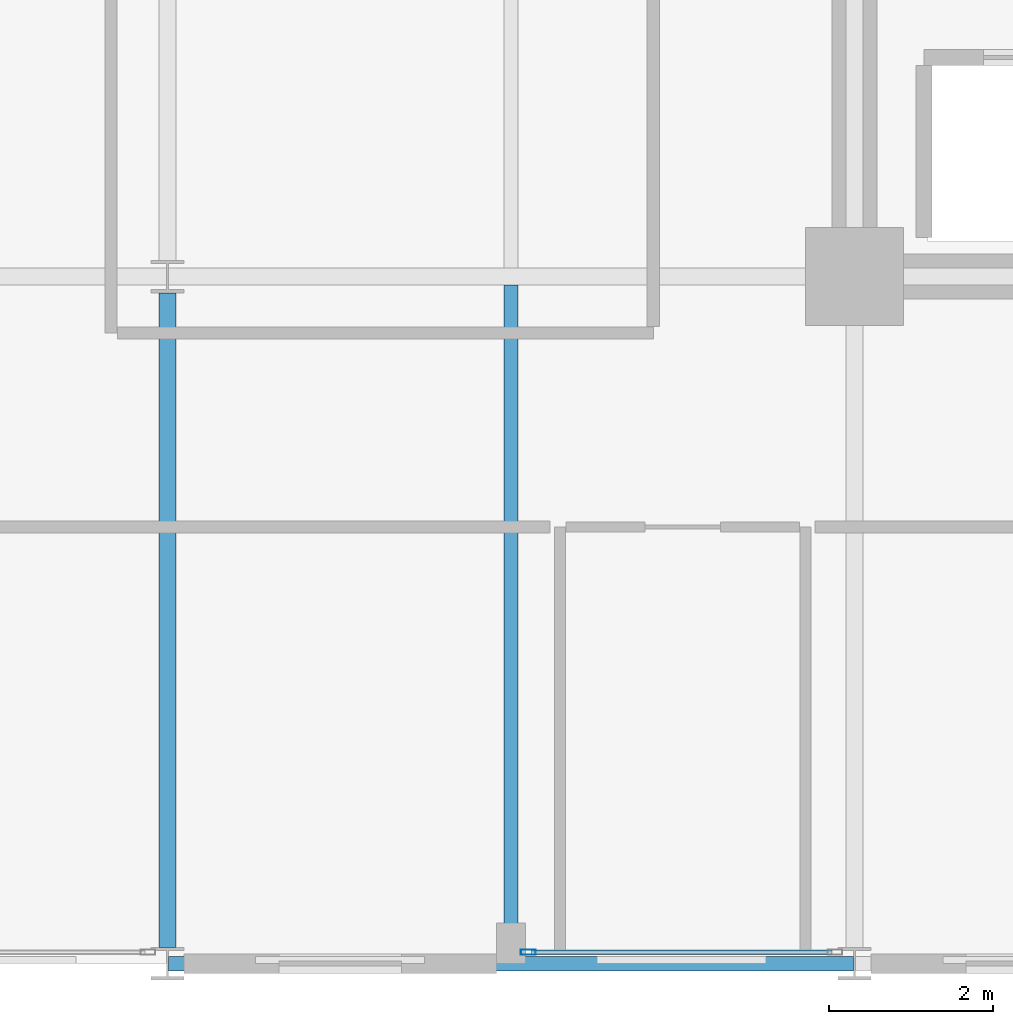
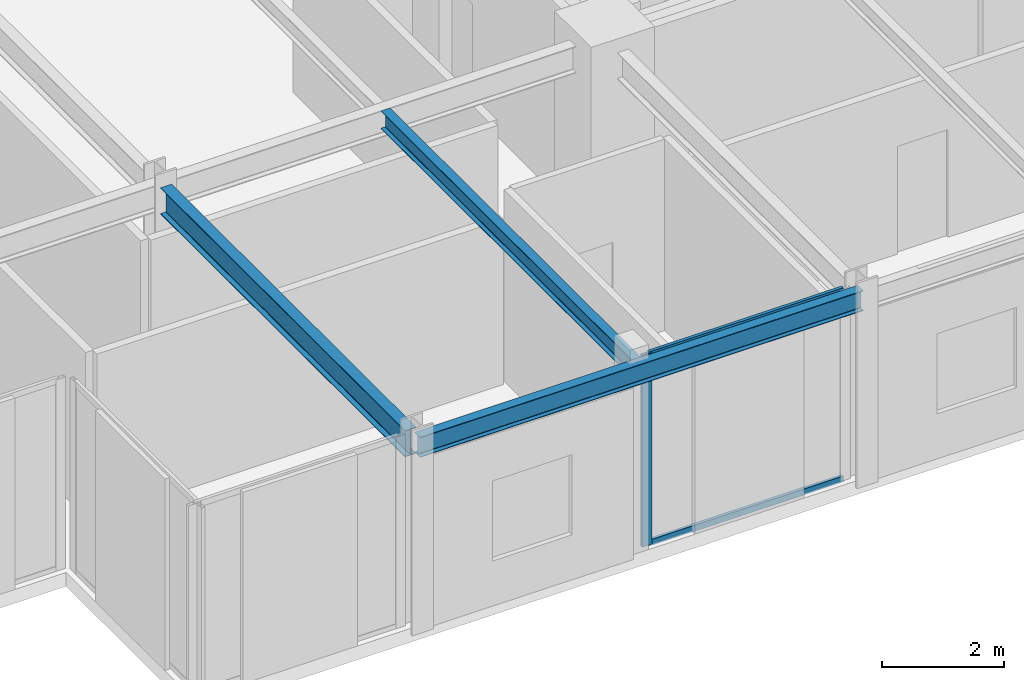
# One storey, part 5 of 38: 3 beams, 3 members, 1 element without a shape of its own.
"""IFC4 building model written with IfcOpenShell, lengths in metres."""

import ifcopenshell
import ifcopenshell.guid

model = None  # the IFC model being written
_history = None  # IfcOwnerHistory: only IFC2X3 demands one
_inside = {}  # id of a spatial element -> (the spatial element, [elements in it])
_under = {}  # id of a project, library or spatial element -> (it, [spatial elements below it])
_declared = {}  # id of a project -> (the project, [libraries it declares])
_typed = {}  # id of a type object -> (the type object, [elements of that type])
_made_of = {}  # id of a material, layer set ... -> (it, [elements and type objects made of it])


def new_model(schema):
    """Start an empty IFC model of exactly this schema.

    Asked for "IFC4X3", IfcOpenShell would pick the latest addendum, in which some entities
    have other attributes; the version numbers below select the first issue.
    IFC2X3 requires an IfcOwnerHistory on every rooted entity: one is made here for all.
    """
    global model, _history
    if schema == "IFC4X3":
        model = ifcopenshell.file(schema_version=(4, 3, 0, 0))
    else:
        model = ifcopenshell.file(schema=schema)
    _inside.clear()
    _under.clear()
    _declared.clear()
    _typed.clear()
    _made_of.clear()
    _history = None
    if model.schema == "IFC2X3":
        org = make("IfcOrganization", Name="unknown")
        user = make(
            "IfcPersonAndOrganization",
            ThePerson=make("IfcPerson", FamilyName="unknown"),
            TheOrganization=org,
        )
        app = make(
            "IfcApplication",
            ApplicationDeveloper=org,
            Version="unknown",
            ApplicationFullName="unknown",
            ApplicationIdentifier="unknown",
        )
        _history = make(
            "IfcOwnerHistory",
            OwningUser=user,
            OwningApplication=app,
            ChangeAction="ADDED",
            CreationDate=0,
        )
    return model


def make(cls, **values):
    """One entity of the class cls with the attributes given. An attribute that is None is left unset."""
    return model.create_entity(
        cls, **{name: value for name, value in values.items() if value is not None}
    )


def rooted(cls, **values):
    """An entity with a GlobalId (a new one), such as an element, a storey or a relation."""
    return make(cls, GlobalId=ifcopenshell.guid.new(), OwnerHistory=_history, **values)


def si_unit(unit_type, name, prefix=None):
    """IfcSIUnit, for example si_unit("LENGTHUNIT", "METRE", prefix="MILLI")."""
    return make("IfcSIUnit", UnitType=unit_type, Prefix=prefix, Name=name)


def assignment(units):
    """IfcUnitAssignment: the units of a project."""
    return None if units is None else make("IfcUnitAssignment", Units=units)


def point(xyz):
    """IfcCartesianPoint."""
    return None if xyz is None else make("IfcCartesianPoint", Coordinates=xyz)


def direction(xyz):
    """IfcDirection."""
    return None if xyz is None else make("IfcDirection", DirectionRatios=xyz)


def frame(location, z_axis=None, x_axis=None):
    """IfcAxis2Placement3D, a coordinate frame: its origin and axes. An axis left out is left unset."""
    return make(
        "IfcAxis2Placement3D",
        Location=point(location),
        Axis=direction(z_axis),
        RefDirection=direction(x_axis),
    )


def frame_2d(location, x_axis=None):
    """IfcAxis2Placement2D, a coordinate frame in the plane: its origin and x axis."""
    return make(
        "IfcAxis2Placement2D", Location=point(location), RefDirection=direction(x_axis)
    )


def origin():
    """The frame at (0, 0, 0) with its axes left unset."""
    return frame((0.0, 0.0, 0.0))


def origin_2d():
    """The frame at (0, 0) in the plane with its x axis left unset."""
    return frame_2d((0.0, 0.0))


def place(relative_to, where):
    """IfcLocalPlacement: puts the frame where relative to a parent placement (None: the world)."""
    return make(
        "IfcLocalPlacement", PlacementRelTo=relative_to, RelativePlacement=where
    )


def context(
    kind, dimensions, precision=None, world=None, true_north=None, identifier=None
):
    """IfcGeometricRepresentationContext, for example the 3D "Model" context."""
    return make(
        "IfcGeometricRepresentationContext",
        ContextIdentifier=identifier,
        ContextType=kind,
        CoordinateSpaceDimension=dimensions,
        Precision=precision,
        WorldCoordinateSystem=world,
        TrueNorth=true_north,
    )


def subcontext(parent, identifier, kind, view, scale=None):
    """IfcGeometricRepresentationSubContext, for example "Body" below "Model"."""
    return make(
        "IfcGeometricRepresentationSubContext",
        ContextIdentifier=identifier,
        ContextType=kind,
        ParentContext=parent,
        TargetScale=scale,
        TargetView=view,
    )


def project(units=None, contexts=None):
    """IfcProject with its units and contexts."""
    return rooted(
        "IfcProject",
        Name="project",
        RepresentationContexts=contexts,
        UnitsInContext=assignment(units),
    )


def spatial(cls, under=None, at=None, **own):
    """A site, building, storey or space (cls), placed at a placement, below another one or the project."""
    s = rooted(cls, ObjectPlacement=at, **own)
    if under is not None:
        _under.setdefault(under.id(), (under, []))[1].append(s)
    return s


def profile(cls, at=None, kind="AREA", **sizes):
    """A parametric profile (cls). Its sizes go by their IFC names, for example OverallWidth=200.0."""
    return make(cls, ProfileType=kind, Position=at, **sizes)


def hollow_rectangle(**sizes):
    """IfcRectangleHollowProfileDef."""
    return profile("IfcRectangleHollowProfileDef", **sizes)


def i_section(**sizes):
    """IfcIShapeProfileDef."""
    return profile("IfcIShapeProfileDef", **sizes)


def extrude(swept, where, along, depth):
    """IfcExtrudedAreaSolid: the profile swept, set in the frame where, extruded along a direction by depth."""
    return make(
        "IfcExtrudedAreaSolid",
        SweptArea=swept,
        Position=where,
        ExtrudedDirection=direction(along),
        Depth=depth,
    )


def shape(context_of_items, identifier, shape_type, items):
    """IfcShapeRepresentation: the items that make up one representation, for example the "Body"."""
    return make(
        "IfcShapeRepresentation",
        ContextOfItems=context_of_items,
        RepresentationIdentifier=identifier,
        RepresentationType=shape_type,
        Items=items,
    )


def material(Name=None, Category=None):
    """IfcMaterial."""
    return make("IfcMaterial", Name=Name, Category=Category)


def layer(
    of_material, thickness, ventilated=None, Name=None, Category=None, Priority=None
):
    """IfcMaterialLayer: one layer of a wall or slab, of a material (None: an air gap)."""
    return make(
        "IfcMaterialLayer",
        Material=of_material,
        LayerThickness=thickness,
        IsVentilated=ventilated,
        Name=Name,
        Category=Category,
        Priority=Priority,
    )


def layer_set(layers, Name=None):
    """IfcMaterialLayerSet."""
    return make("IfcMaterialLayerSet", MaterialLayers=layers, LayerSetName=Name)


def material_profile(
    of_material, cross_section, Name=None, Category=None, Priority=None
):
    """IfcMaterialProfile: a cross section and its material."""
    return make(
        "IfcMaterialProfile",
        Name=Name,
        Material=of_material,
        Profile=cross_section,
        Priority=Priority,
        Category=Category,
    )


def profile_set(profiles, Name=None, composite=None):
    """IfcMaterialProfileSet."""
    return make(
        "IfcMaterialProfileSet",
        Name=Name,
        MaterialProfiles=profiles,
        CompositeProfile=composite,
    )


def made_of(thing, what):
    """Note that an element or type object is made of a material, layer set ...; save() writes the relation."""
    if what is not None:
        _made_of.setdefault(what.id(), (what, []))[1].append(thing)
    return thing


def type_object(cls, material=None, **own):
    """A type object (cls), such as IfcWallType, which elements share."""
    return made_of(rooted(cls, **own), material)


def element(
    cls,
    number,
    at=None,
    inside=None,
    cuts=None,
    type_object=None,
    material=None,
    context=None,
    identifier="Body",
    shape_type=None,
    held_by="IfcProductDefinitionShape",
    body=None,
    shapes=None,
    **own,
):
    """One element of the class cls, such as IfcWall. Its Tag is "e" and its number.

    at: its placement. inside: the storey or other place that contains it. cuts: it is an
    opening in that element (IfcRelVoidsElement). A single representation is given by context,
    identifier, shape_type and body (its items); several are given by shapes. held_by: the class
    of the entity that holds the representations. save() writes the other relations.
    """
    e = rooted(cls, Tag="e%d" % number, ObjectPlacement=at, **own)
    if body is not None:
        shapes = [shape(context, identifier, shape_type, body)]
    if shapes is not None:
        e.Representation = make(held_by, Representations=shapes)
    if inside is not None:
        _inside.setdefault(inside.id(), (inside, []))[1].append(e)
    if cuts is not None:
        rooted(
            "IfcRelVoidsElement", RelatingBuildingElement=cuts, RelatedOpeningElement=e
        )
    if type_object is not None:
        _typed.setdefault(type_object.id(), (type_object, []))[1].append(e)
    return made_of(e, material)


def aggregate(whole, parts):
    """IfcRelAggregates: a whole, such as a stair, and the parts it consists of."""
    return rooted("IfcRelAggregates", RelatingObject=whole, RelatedObjects=parts)


def save(model, path):
    """Write the relations noted so far, then the file.

    IfcRelAggregates (storeys below a building ...), IfcRelContainedInSpatialStructure (elements
    in a storey), IfcRelDefinesByType, IfcRelAssociatesMaterial and IfcRelDeclares: one each for
    every whole, place, type object, material and project.
    """
    for whole, parts in _under.values():
        aggregate(whole, parts)
    for where, things in _inside.values():
        rooted(
            "IfcRelContainedInSpatialStructure",
            RelatedElements=things,
            RelatingStructure=where,
        )
    for kind, things in _typed.values():
        rooted("IfcRelDefinesByType", RelatedObjects=things, RelatingType=kind)
    for what, things in _made_of.values():
        rooted("IfcRelAssociatesMaterial", RelatedObjects=things, RelatingMaterial=what)
    for by, libraries in _declared.values():
        rooted("IfcRelDeclares", RelatingContext=by, RelatedDefinitions=libraries)
    model.write(path)


model = new_model("IFC4")

# Units and contexts
model_context = context("Model", 3, precision=1e-05, world=origin(), true_north=direction((0.0, 1.0)))
body_context = subcontext(model_context, "Body", "Model", "MODEL_VIEW")
ifc_project = project(units=[si_unit("LENGTHUNIT", "METRE"), si_unit("AREAUNIT", "SQUARE_METRE"), si_unit("VOLUMEUNIT", "CUBIC_METRE"), si_unit("PLANEANGLEUNIT", "RADIAN"), si_unit("MASSUNIT", "GRAM", prefix="KILO")], contexts=[model_context])

# Site, building, storey
site_placement = place(None, origin())
site = spatial("IfcSite", under=ifc_project, at=site_placement, CompositionType="ELEMENT")
building_placement = place(site_placement, origin())
building = spatial("IfcBuilding", under=site, at=building_placement, Name="Nerrivon Quay Data Exchange", CompositionType="ELEMENT")
storey_placement = place(building_placement, frame((0.0, 0.0, 88.5)))
storey = spatial("IfcBuildingStorey", under=building, at=storey_placement, Name="L20", CompositionType="ELEMENT", Elevation=88.5)

# Beams
ifc_material_1 = material(Name="Steel Grade 350", Category="steel")
ifc_material_profile_1 = material_profile(ifc_material_1, i_section(OverallWidth=0.208984375, OverallDepth=0.528076171875, WebThickness=0.009521484375, FlangeThickness=0.01318359375, FilletRadius=0.013916015625, at=origin_2d()), Name="530UB82.0")
ifc_profile_set_1 = profile_set([ifc_material_profile_1], Name="Steel Grade 350")
beam_type_1 = type_object("IfcBeamType", Name="BM-G4-530UB82", PredefinedType="BEAM", material=ifc_profile_set_1)
beam_1_placement = place(storey_placement, frame((8.39990234375, 0.199951171875, 3.56103515625), z_axis=(0.0, 1.0, 0.0), x_axis=(-1.0, 0.0, 0.0)))
element("IfcBeam", 1, at=beam_1_placement, inside=storey, type_object=beam_type_1, Name="L20 NS Girder X=8.4 (0.0..8.4)", PredefinedType="BEAM", context=body_context, shape_type="SweptSolid", body=[
    extrude(i_section(OverallWidth=0.208984375, OverallDepth=0.528076171875, WebThickness=0.009521484375, FlangeThickness=0.01318359375, FilletRadius=0.013916015625, at=origin_2d()), origin(), (0.0, 0.0, 1.0), 8.0),
])
ifc_material_profile_2 = material_profile(ifc_material_1, i_section(OverallWidth=0.1708984375, OverallDepth=0.35595703125, WebThickness=0.00732421875, FlangeThickness=0.011474609375, FilletRadius=0.011474609375, at=origin_2d()), Name="360UB50.7")
ifc_profile_set_2 = profile_set([ifc_material_profile_2], Name="Steel Grade 350")
beam_type_2 = type_object("IfcBeamType", Name="BM-J4-360UB51", PredefinedType="JOIST", material=ifc_profile_set_2)
beam_2_placement = place(storey_placement, frame((12.60009765625, 0.089111328125, 3.64697265625), z_axis=(0.0, 1.0, 0.0), x_axis=(-1.0, 0.0, 0.0)))
element("IfcBeam", 2, at=beam_2_placement, inside=storey, type_object=beam_type_2, Name="L20 Secondary Joist X=12.6 (0.0..8.4)", PredefinedType="JOIST", context=body_context, shape_type="SweptSolid", body=[
    extrude(i_section(OverallWidth=0.1708984375, OverallDepth=0.35595703125, WebThickness=0.00732421875, FlangeThickness=0.011474609375, FilletRadius=0.011474609375, at=origin_2d()), origin(), (0.0, 0.0, 1.0), 8.206298828125),
])
ifc_material_profile_3 = material_profile(ifc_material_1, i_section(OverallWidth=0.177978515625, OverallDepth=0.403076171875, WebThickness=0.007568359375, FlangeThickness=0.010986328125, FilletRadius=0.011474609375, at=origin_2d()), Name="410UB53.7")
ifc_profile_set_3 = profile_set([ifc_material_profile_3], Name="Steel Grade 350")
beam_type_3 = type_object("IfcBeamType", Name="BM-SP2-410UB54", PredefinedType="SPANDREL", material=ifc_profile_set_3)
beam_3_placement = place(storey_placement, frame((8.41259765625, 0.0, 3.62353515625), z_axis=(1.0, 0.0, 0.0), x_axis=(0.0, 1.0, 0.0)))
element("IfcBeam", 3, at=beam_3_placement, inside=storey, type_object=beam_type_3, Name="L20 EW Girder Y=0.0 (8.4..16.8)", PredefinedType="SPANDREL", context=body_context, shape_type="SweptSolid", body=[
    extrude(i_section(OverallWidth=0.177978515625, OverallDepth=0.403076171875, WebThickness=0.007568359375, FlangeThickness=0.010986328125, FilletRadius=0.011474609375, at=origin_2d()), origin(), (0.0, 0.0, 1.0), 8.375),
])

# Curtain wall, members
ifc_material_2 = material(Name="Anodised aluminium 6063-T6", Category="aluminium")
ifc_layer = layer(ifc_material_2, 0.2099609375)
ifc_layer_set = layer_set([ifc_layer], Name="Anodised aluminium 6063-T6")
curtain_wall_type = type_object("IfcCurtainWallType", Name="CW-SYS-02", PredefinedType="NOTDEFINED", material=ifc_layer_set)
curtain_wall_placement = place(storey_placement, origin())
curtain_wall = element("IfcCurtainWall", 4, at=curtain_wall_placement, inside=storey, type_object=curtain_wall_type, Name="L20 Unitised Curtain Wall 12", PredefinedType="NOTDEFINED")
ifc_material_profile_4 = material_profile(ifc_material_2, hollow_rectangle(XDim=0.06494140625, YDim=0.179931640625, WallThickness=0.00341796875, at=origin_2d()), Name="ALU-MULL-180x65")
ifc_profile_set_4 = profile_set([ifc_material_profile_4], Name="Anodised aluminium 6063-T6")
member_type_1 = type_object("IfcMemberType", Name="CWM-180x65", PredefinedType="MULLION", material=ifc_profile_set_4)
member_1_placement = place(storey_placement, frame((12.8125, 0.139892578125, 0.0), z_axis=(0.0, 0.0, 1.0), x_axis=(0.0, -1.0, 0.0)))
member_1 = element("IfcMember", 5, at=member_1_placement, type_object=member_type_1, Name="CW02 mullion 2", PredefinedType="MULLION", context=body_context, shape_type="SweptSolid", body=[
    extrude(hollow_rectangle(XDim=0.06494140625, YDim=0.179931640625, WallThickness=0.00341796875, at=origin_2d()), origin(), (0.0, 0.0, 1.0), 3.824951171875),
])
ifc_material_profile_5 = material_profile(ifc_material_2, hollow_rectangle(XDim=0.06005859375, YDim=0.1201171875, WallThickness=0.003173828125, at=origin_2d()), Name="ALU-TRAN-120x60")
ifc_profile_set_5 = profile_set([ifc_material_profile_5], Name="Anodised aluminium 6063-T6")
member_type_2 = type_object("IfcMemberType", Name="CWT-120x60", PredefinedType="USERDEFINED", material=ifc_profile_set_5)
member_2_placement = place(storey_placement, frame((16.52490234375, 0.139892578125, 0.032470703125), z_axis=(-1.0, 0.0, 0.0), x_axis=(0.0, -1.0, 0.0)))
member_2 = element("IfcMember", 6, at=member_2_placement, type_object=member_type_2, Name="CW02 transom 1.1", ObjectType="TRANSOM", PredefinedType="USERDEFINED", context=body_context, shape_type="SweptSolid", body=[
    extrude(hollow_rectangle(XDim=0.06005859375, YDim=0.1201171875, WallThickness=0.003173828125, at=origin_2d()), origin(), (0.0, 0.0, 1.0), 3.6748046875),
])
member_3_placement = place(storey_placement, frame((16.52490234375, 0.139892578125, 3.79248046875), z_axis=(-1.0, 0.0, 0.0), x_axis=(0.0, -1.0, 0.0)))
member_3 = element("IfcMember", 7, at=member_3_placement, type_object=member_type_2, Name="CW02 transom 1.2", ObjectType="TRANSOM", PredefinedType="USERDEFINED", context=body_context, shape_type="SweptSolid", body=[
    extrude(hollow_rectangle(XDim=0.06005859375, YDim=0.1201171875, WallThickness=0.003173828125, at=origin_2d()), origin(), (0.0, 0.0, 1.0), 3.6748046875),
])
aggregate(curtain_wall, [member_1, member_2, member_3])

save(model, "model.ifc")
